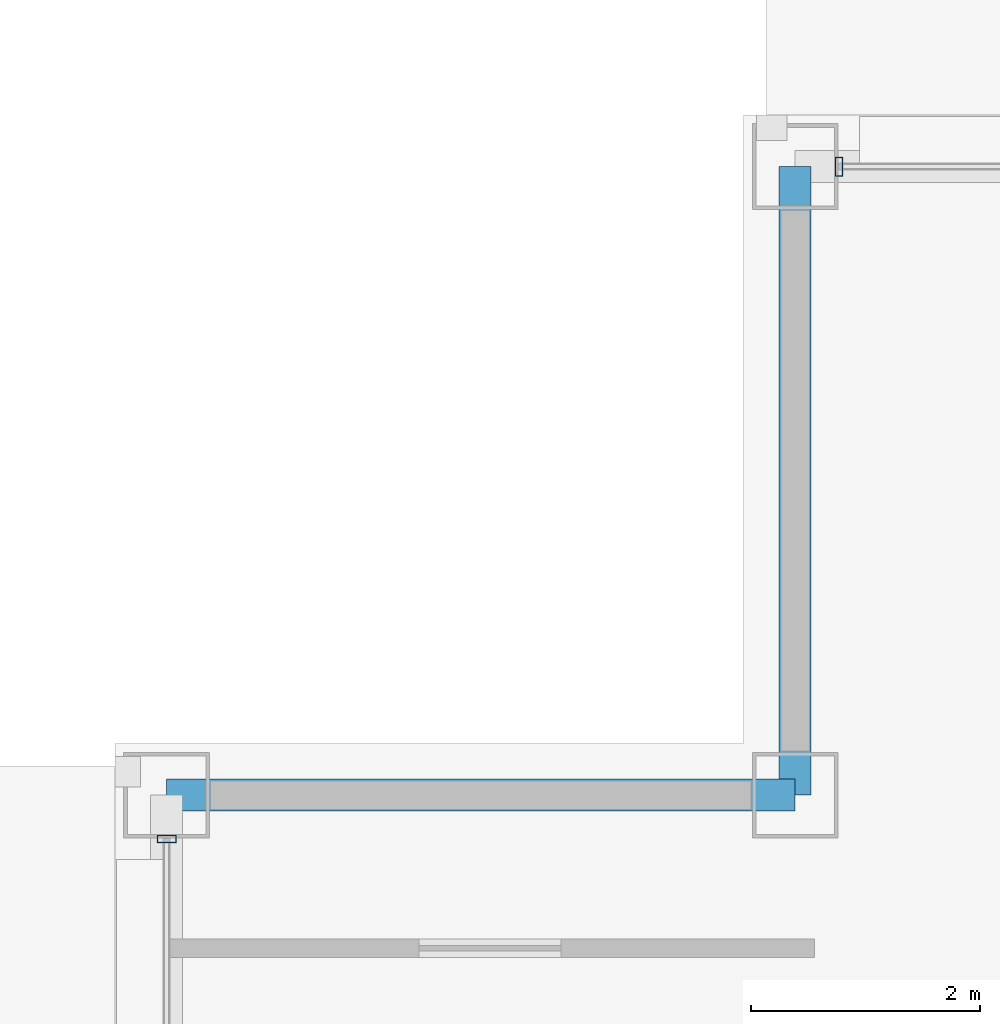
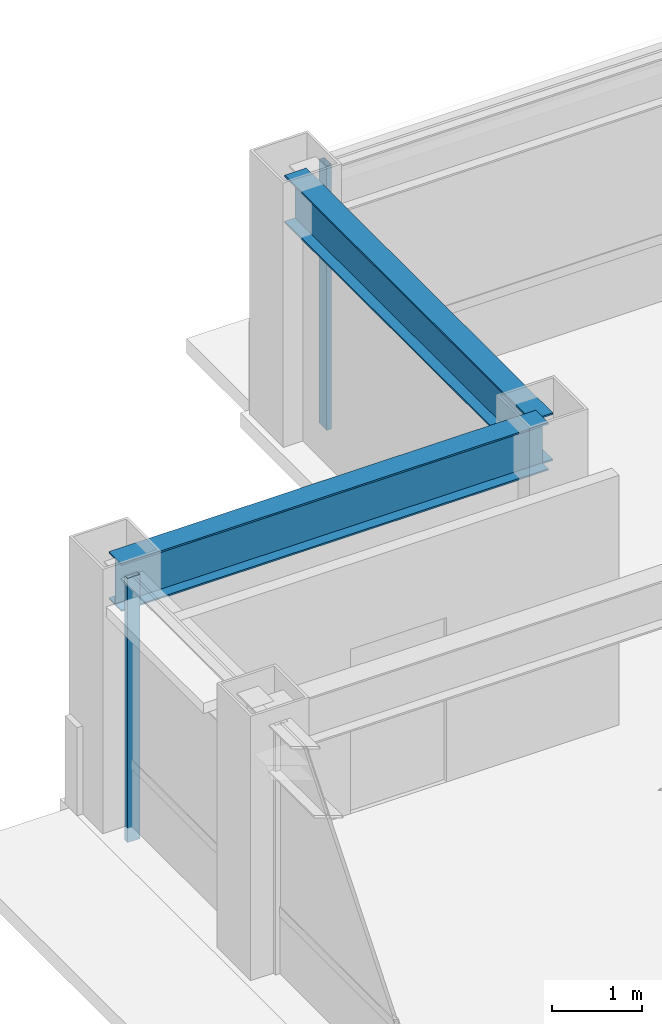
# One storey, part 18 of 26: 2 beams, 2 members, 2 elements without a shape of their own.
"""IFC4 building model written with IfcOpenShell, lengths in metres."""

from ifc_helpers import new_model, si_unit, direction, frame, origin, origin_2d, place, context, subcontext, project, spatial, hollow_rectangle, i_section, extrude, material, layer, layer_set, material_profile, profile_set, type_object, element, aggregate, save


model = new_model("IFC4")

# Units and contexts
model_context = context("Model", 3, precision=1e-05, world=origin(), true_north=direction((0.0, 1.0)))
body_context = subcontext(model_context, "Body", "Model", "MODEL_VIEW")
ifc_project = project(units=[si_unit("LENGTHUNIT", "METRE"), si_unit("AREAUNIT", "SQUARE_METRE"), si_unit("VOLUMEUNIT", "CUBIC_METRE"), si_unit("PLANEANGLEUNIT", "RADIAN"), si_unit("MASSUNIT", "GRAM", prefix="KILO")], contexts=[model_context])

# Site, building, storey
site_placement = place(None, origin())
site = spatial("IfcSite", under=ifc_project, at=site_placement, CompositionType="ELEMENT")
building_placement = place(site_placement, origin())
building = spatial("IfcBuilding", under=site, at=building_placement, Name="Brelmoor Portico Tower", CompositionType="ELEMENT")
storey_placement = place(building_placement, frame((0.0, 0.0, 180.300048828125)))
storey = spatial("IfcBuildingStorey", under=building, at=storey_placement, Name="L47", CompositionType="ELEMENT", Elevation=180.300048828125)

# Beams
ifc_material_1 = material(Name="Steel Q355B", Category="steel")
ifc_material_profile_1 = material_profile(ifc_material_1, i_section(OverallWidth=0.280029296875, OverallDepth=0.64990234375, WebThickness=0.012939453125, FlangeThickness=0.02197265625, at=origin_2d()), Name="HN 650x280x13x22")
ifc_profile_set_1 = profile_set([ifc_material_profile_1], Name="Steel Q355B")
beam_type = type_object("IfcBeamType", Name="BM-SP-650", PredefinedType="SPANDREL", material=ifc_profile_set_1)
for number, where, z_axis, x_axis, name in (
    (1, (-20.550048828125, 13.050048828125, 3.074951171875), (1.0, 0.0, 0.0), (0.0, 1.0, 0.0), "L47 Perimeter Spandrel Beam SP-06"),
    (2, (-15.050048828125, 13.050048828125, 3.074951171875), (0.0, 1.0, 0.0), (-1.0, 0.0, 0.0), "L47 Perimeter Spandrel Beam SP-15"),
):
    element("IfcBeam", number, at=place(storey_placement, frame(where, z_axis=z_axis, x_axis=x_axis)), inside=storey, type_object=beam_type, Name=name, PredefinedType="SPANDREL", context=body_context, shape_type="SweptSolid", body=[
        extrude(i_section(OverallWidth=0.280029296875, OverallDepth=0.64990234375, WebThickness=0.012939453125, FlangeThickness=0.02197265625, at=origin_2d()), origin(), (0.0, 0.0, 1.0), 5.5),
    ])

# Curtain wall, member
ifc_material_2 = material(Name="Anodised Aluminium Alloy 6063-T6", Category="aluminium")
ifc_layer = layer(ifc_material_2, 0.179931640625)
ifc_layer_set = layer_set([ifc_layer], Name="Anodised Aluminium Alloy 6063-T6")
curtain_wall_type = type_object("IfcCurtainWallType", Name="CW-TOWER-Z3", PredefinedType="NOTDEFINED", material=ifc_layer_set)
curtain_wall_1_placement = place(storey_placement, origin())
curtain_wall_1 = element("IfcCurtainWall", 3, at=curtain_wall_1_placement, inside=storey, type_object=curtain_wall_type, Name="L47 Curtain Wall CW-L47-02-1", PredefinedType="NOTDEFINED")
ifc_material_profile_2 = material_profile(ifc_material_2, hollow_rectangle(XDim=0.06494140625, YDim=0.1650390625, WallThickness=0.00390625, at=origin_2d()), Name="ALU MULLION 65x165")
ifc_profile_set_2 = profile_set([ifc_material_profile_2], Name="Anodised Aluminium Alloy 6063-T6")
member_type = type_object("IfcMemberType", Name="MB-CW-MULL-165", PredefinedType="MULLION", material=ifc_profile_set_2)
member_1_placement = place(storey_placement, frame((-14.6650390625, 18.550048828125, -0.199951171875), z_axis=(0.0, 0.0, 1.0), x_axis=(1.0, 0.0, 0.0)))
member_1 = element("IfcMember", 4, at=member_1_placement, type_object=member_type, Name="CW-L47-02-1 Mullion 00", PredefinedType="MULLION", context=body_context, shape_type="SweptSolid", body=[
    extrude(hollow_rectangle(XDim=0.06494140625, YDim=0.1650390625, WallThickness=0.00390625, at=origin_2d()), origin(), (0.0, 0.0, 1.0), 3.599853515625),
])
aggregate(curtain_wall_1, [member_1])

curtain_wall_2_placement = place(storey_placement, origin())
curtain_wall_2 = element("IfcCurtainWall", 5, at=curtain_wall_2_placement, inside=storey, type_object=curtain_wall_type, Name="L47 Curtain Wall CW-L47-03-3", PredefinedType="NOTDEFINED")
member_2_placement = place(storey_placement, frame((-20.550048828125, 12.6650390625, -0.199951171875), z_axis=(0.0, 0.0, 1.0), x_axis=(0.0, 1.0, 0.0)))
member_2 = element("IfcMember", 6, at=member_2_placement, type_object=member_type, Name="CW-L47-03-3 Mullion 01", PredefinedType="MULLION", context=body_context, shape_type="SweptSolid", body=[
    extrude(hollow_rectangle(XDim=0.06494140625, YDim=0.1650390625, WallThickness=0.00390625, at=origin_2d()), origin(), (0.0, 0.0, 1.0), 3.599853515625),
])
aggregate(curtain_wall_2, [member_2])

save(model, "model.ifc")
